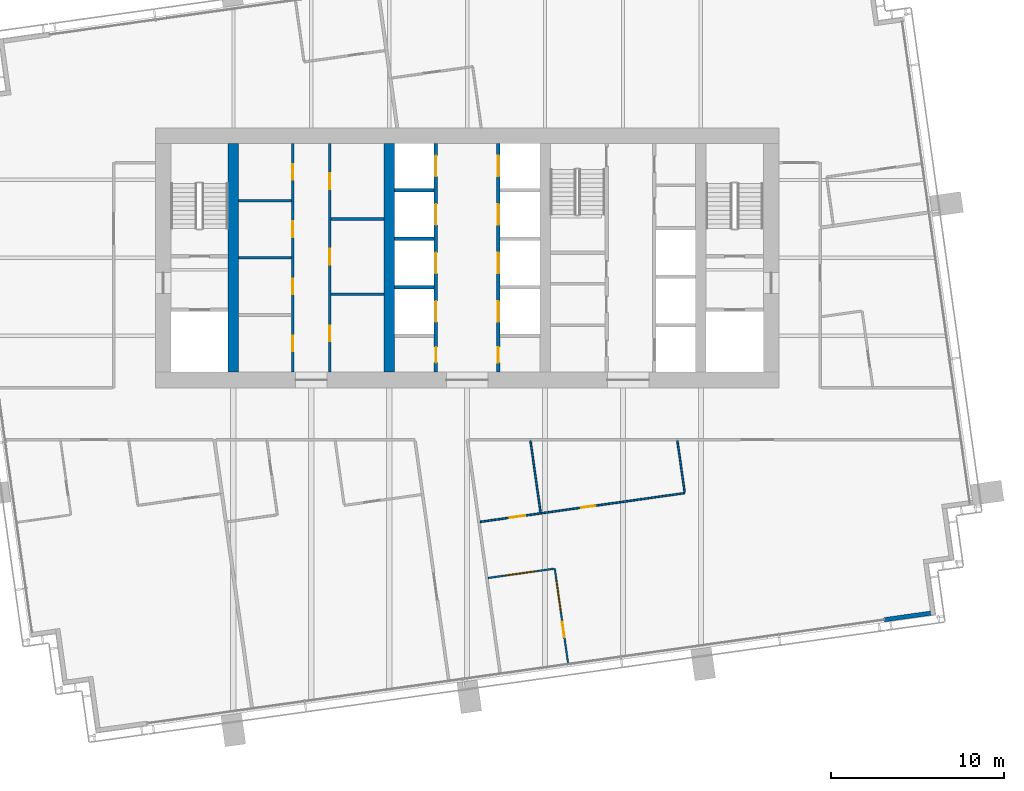
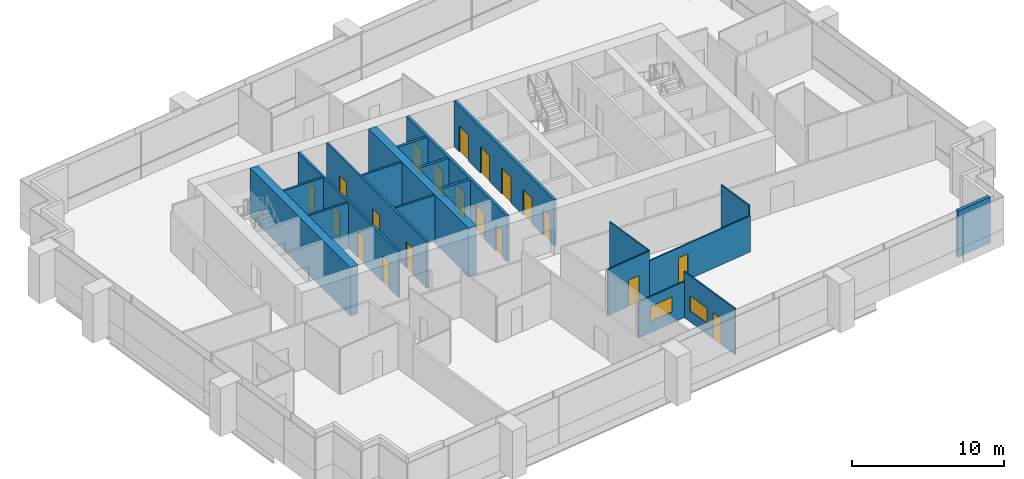
# One storey, part 10 of 18: 20 doors, 20 walls, 2 windows, 22 openings.
"""IFC4 building model written with IfcOpenShell, lengths in metres."""

from ifc_helpers import new_model, si_unit, direction, frame, frame_2d, origin, place, context, subcontext, project, spatial, rectangle, extrude, material, layer, layer_set, type_object, element, fill, save


model = new_model("IFC4")

# Units and contexts
model_context = context("Model", 3, precision=1e-05, world=origin(), true_north=direction((0.0, 1.0)))
body_context = subcontext(model_context, "Body", "Model", "MODEL_VIEW")
ifc_project = project(units=[si_unit("LENGTHUNIT", "METRE"), si_unit("AREAUNIT", "SQUARE_METRE"), si_unit("VOLUMEUNIT", "CUBIC_METRE"), si_unit("PLANEANGLEUNIT", "RADIAN"), si_unit("MASSUNIT", "GRAM", prefix="KILO")], contexts=[model_context])

# Site, building, storey
site_placement = place(None, origin())
site = spatial("IfcSite", under=ifc_project, at=site_placement, CompositionType="ELEMENT")
building_placement = place(site_placement, origin())
building = spatial("IfcBuilding", under=site, at=building_placement, Name="Rattan Terrace Tower", CompositionType="ELEMENT")
storey_placement = place(building_placement, frame((0.0, 0.0, 176.300048828125)))
storey = spatial("IfcBuildingStorey", under=building, at=storey_placement, Name="L40", CompositionType="ELEMENT", Elevation=176.300048828125)

# Wall, openings, doors
ifc_material_1 = material(Name="Gypsum board partition")
ifc_layer_1 = layer(ifc_material_1, 0.14990234375)
ifc_layer_set_1 = layer_set([ifc_layer_1], Name="Core partition 150")
wall_type_1 = type_object("IfcWallType", Name="Core partition 150", PredefinedType="PARTITIONING", material=ifc_layer_set_1)
wall_1_placement = place(storey_placement, frame((-10.074951171875, -6.60009765625, 0.0), z_axis=(0.0, 0.0, 1.0), x_axis=(0.0, 1.0, 0.0)))
wall_1 = element("IfcWall", 1, at=wall_1_placement, inside=storey, type_object=wall_type_1, Name="Core room wall", PredefinedType="PARTITIONING", context=body_context, shape_type="SweptSolid", body=[
    extrude(rectangle(XDim=13.2001953125, YDim=0.14990234375, at=frame_2d((6.60009765625, 0.0))), origin(), (0.0, 0.0, 1.0), 3.699951171875),
])
opening_1_placement = place(wall_1_placement, frame((1.199951171875, 0.0, 0.0)))
opening_1 = element("IfcOpeningElement", 2, at=opening_1_placement, cuts=wall_1, Name="Opening L40-D005", PredefinedType="OPENING", context=body_context, shape_type="SweptSolid", body=[
    extrude(rectangle(XDim=0.89990234375, YDim=2.10009765625, at=frame_2d((0.449951171875, 1.050048828125))), frame((0.0, 0.08544921875, 0.0), z_axis=(0.0, -1.0, 0.0), x_axis=(1.0, 0.0, 0.0)), (0.0, 0.0, 1.0), 0.1708984375),
])
opening_2_placement = place(wall_1_placement, frame((4.5, 0.0, 0.0)))
opening_2 = element("IfcOpeningElement", 3, at=opening_2_placement, cuts=wall_1, Name="Opening L40-D006", PredefinedType="OPENING", context=body_context, shape_type="SweptSolid", body=[
    extrude(rectangle(XDim=0.89990234375, YDim=2.10009765625, at=frame_2d((0.449951171875, 1.050048828125))), frame((0.0, 0.08544921875, 0.0), z_axis=(0.0, -1.0, 0.0), x_axis=(1.0, 0.0, 0.0)), (0.0, 0.0, 1.0), 0.1708984375),
])
opening_3_placement = place(wall_1_placement, frame((7.800048828125, 0.0, 0.0)))
opening_3 = element("IfcOpeningElement", 4, at=opening_3_placement, cuts=wall_1, Name="Opening L40-D007", PredefinedType="OPENING", context=body_context, shape_type="SweptSolid", body=[
    extrude(rectangle(XDim=0.89990234375, YDim=2.10009765625, at=frame_2d((0.449951171875, 1.050048828125))), frame((0.0, 0.08544921875, 0.0), z_axis=(0.0, -1.0, 0.0), x_axis=(1.0, 0.0, 0.0)), (0.0, 0.0, 1.0), 0.1708984375),
])
opening_4_placement = place(wall_1_placement, frame((11.10009765625, 0.0, 0.0)))
opening_4 = element("IfcOpeningElement", 5, at=opening_4_placement, cuts=wall_1, Name="Opening L40-D008", PredefinedType="OPENING", context=body_context, shape_type="SweptSolid", body=[
    extrude(rectangle(XDim=0.89990234375, YDim=2.10009765625, at=frame_2d((0.449951171875, 1.050048828125))), frame((0.0, 0.08544921875, 0.0), z_axis=(0.0, -1.0, 0.0), x_axis=(1.0, 0.0, 0.0)), (0.0, 0.0, 1.0), 0.1708984375),
])
ifc_material_2 = material(Name="Hollow-metal fire door leaf")
door_type_1 = type_object("IfcDoorType", Name="Core service room door 900", OperationType="NOTDEFINED", PredefinedType="DOOR", material=ifc_material_2)
door_1_placement = place(opening_1_placement, origin())
door_1 = element("IfcDoor", 6, at=door_1_placement, inside=storey, type_object=door_type_1, Name="Door L40-D005", OperationType="SINGLE_SWING_LEFT", OverallHeight=2.10009765625, OverallWidth=0.89990234375, PredefinedType="DOOR", context=body_context, shape_type="SweptSolid", body=[
    extrude(rectangle(XDim=0.89990234375, YDim=2.10009765625, at=frame_2d((0.449951171875, 1.050048828125))), frame((0.0, 0.02490234375, 0.0), z_axis=(0.0, -1.0, 0.0), x_axis=(1.0, 0.0, 0.0)), (0.0, 0.0, 1.0), 0.050048828125),
])
fill(opening_1, door_1)
door_2_placement = place(opening_2_placement, origin())
door_2 = element("IfcDoor", 7, at=door_2_placement, inside=storey, type_object=door_type_1, Name="Door L40-D006", OperationType="SINGLE_SWING_RIGHT", OverallHeight=2.10009765625, OverallWidth=0.89990234375, PredefinedType="DOOR", context=body_context, shape_type="SweptSolid", body=[
    extrude(rectangle(XDim=0.89990234375, YDim=2.10009765625, at=frame_2d((0.449951171875, 1.050048828125))), frame((0.0, 0.02490234375, 0.0), z_axis=(0.0, -1.0, 0.0), x_axis=(1.0, 0.0, 0.0)), (0.0, 0.0, 1.0), 0.050048828125),
])
fill(opening_2, door_2)
door_3_placement = place(opening_3_placement, origin())
door_3 = element("IfcDoor", 8, at=door_3_placement, inside=storey, type_object=door_type_1, Name="Door L40-D007", OperationType="SINGLE_SWING_LEFT", OverallHeight=2.10009765625, OverallWidth=0.89990234375, PredefinedType="DOOR", context=body_context, shape_type="SweptSolid", body=[
    extrude(rectangle(XDim=0.89990234375, YDim=2.10009765625, at=frame_2d((0.449951171875, 1.050048828125))), frame((0.0, 0.02490234375, 0.0), z_axis=(0.0, -1.0, 0.0), x_axis=(1.0, 0.0, 0.0)), (0.0, 0.0, 1.0), 0.050048828125),
])
fill(opening_3, door_3)
door_4_placement = place(opening_4_placement, origin())
door_4 = element("IfcDoor", 9, at=door_4_placement, inside=storey, type_object=door_type_1, Name="Door L40-D008", OperationType="SINGLE_SWING_RIGHT", OverallHeight=2.10009765625, OverallWidth=0.89990234375, PredefinedType="DOOR", context=body_context, shape_type="SweptSolid", body=[
    extrude(rectangle(XDim=0.89990234375, YDim=2.10009765625, at=frame_2d((0.449951171875, 1.050048828125))), frame((0.0, 0.02490234375, 0.0), z_axis=(0.0, -1.0, 0.0), x_axis=(1.0, 0.0, 0.0)), (0.0, 0.0, 1.0), 0.050048828125),
])
fill(opening_4, door_4)

# Walls
for number, where, z_axis, x_axis, name in (
    (10, (-13.199951171875, 0.0, 0.0), (0.0, 0.0, 1.0), (1.0, 0.0, 0.0), "Core room wall"),
    (11, (-13.199951171875, 3.300048828125, 0.0), (0.0, 0.0, 1.0), (1.0, 0.0, 0.0), "Core room wall"),
):
    element("IfcWall", number, at=place(storey_placement, frame(where, z_axis=z_axis, x_axis=x_axis)), inside=storey, type_object=wall_type_1, Name=name, PredefinedType="PARTITIONING", context=body_context, shape_type="SweptSolid", body=[
        extrude(rectangle(XDim=3.050048828125, YDim=0.14990234375, at=frame_2d((1.52490234375, 0.0))), origin(), (0.0, 0.0, 1.0), 3.699951171875),
    ])

# Wall, openings, doors
wall_2_placement = place(storey_placement, frame((-7.925048828125, -6.60009765625, 0.0), z_axis=(0.0, 0.0, 1.0), x_axis=(0.0, 1.0, 0.0)))
wall_2 = element("IfcWall", 12, at=wall_2_placement, inside=storey, type_object=wall_type_1, Name="Core room wall", PredefinedType="PARTITIONING", context=body_context, shape_type="SweptSolid", body=[
    extrude(rectangle(XDim=13.2001953125, YDim=0.14990234375, at=frame_2d((6.60009765625, 0.0))), origin(), (0.0, 0.0, 1.0), 3.699951171875),
])
opening_5_placement = place(wall_2_placement, frame((1.7939453125, 0.0, 0.0)))
opening_5 = element("IfcOpeningElement", 13, at=opening_5_placement, cuts=wall_2, Name="Opening L40-D009", PredefinedType="OPENING", context=body_context, shape_type="SweptSolid", body=[
    extrude(rectangle(XDim=0.89990234375, YDim=2.10009765625, at=frame_2d((0.449951171875, 1.050048828125))), frame((0.0, 0.08544921875, 0.0), z_axis=(0.0, -1.0, 0.0), x_axis=(1.0, 0.0, 0.0)), (0.0, 0.0, 1.0), 0.1708984375),
])
opening_6_placement = place(wall_2_placement, frame((6.216064453125, 0.0, 0.0)))
opening_6 = element("IfcOpeningElement", 14, at=opening_6_placement, cuts=wall_2, Name="Opening L40-D010", PredefinedType="OPENING", context=body_context, shape_type="SweptSolid", body=[
    extrude(rectangle(XDim=0.89990234375, YDim=2.10009765625, at=frame_2d((0.449951171875, 1.050048828125))), frame((0.0, 0.08544921875, 0.0), z_axis=(0.0, -1.0, 0.0), x_axis=(1.0, 0.0, 0.0)), (0.0, 0.0, 1.0), 0.1708984375),
])
opening_7_placement = place(wall_2_placement, frame((10.572021484375, 0.0, 0.0)))
opening_7 = element("IfcOpeningElement", 15, at=opening_7_placement, cuts=wall_2, Name="Opening L40-D011", PredefinedType="OPENING", context=body_context, shape_type="SweptSolid", body=[
    extrude(rectangle(XDim=0.89990234375, YDim=2.10009765625, at=frame_2d((0.449951171875, 1.050048828125))), frame((0.0, 0.08544921875, 0.0), z_axis=(0.0, -1.0, 0.0), x_axis=(1.0, 0.0, 0.0)), (0.0, 0.0, 1.0), 0.1708984375),
])
door_5_placement = place(opening_5_placement, origin())
door_5 = element("IfcDoor", 16, at=door_5_placement, inside=storey, type_object=door_type_1, Name="Door L40-D009", OperationType="SINGLE_SWING_LEFT", OverallHeight=2.10009765625, OverallWidth=0.89990234375, PredefinedType="DOOR", context=body_context, shape_type="SweptSolid", body=[
    extrude(rectangle(XDim=0.89990234375, YDim=2.10009765625, at=frame_2d((0.449951171875, 1.050048828125))), frame((0.0, 0.02490234375, 0.0), z_axis=(0.0, -1.0, 0.0), x_axis=(1.0, 0.0, 0.0)), (0.0, 0.0, 1.0), 0.050048828125),
])
fill(opening_5, door_5)
door_6_placement = place(opening_6_placement, origin())
door_6 = element("IfcDoor", 17, at=door_6_placement, inside=storey, type_object=door_type_1, Name="Door L40-D010", OperationType="SINGLE_SWING_RIGHT", OverallHeight=2.10009765625, OverallWidth=0.89990234375, PredefinedType="DOOR", context=body_context, shape_type="SweptSolid", body=[
    extrude(rectangle(XDim=0.89990234375, YDim=2.10009765625, at=frame_2d((0.449951171875, 1.050048828125))), frame((0.0, 0.02490234375, 0.0), z_axis=(0.0, -1.0, 0.0), x_axis=(1.0, 0.0, 0.0)), (0.0, 0.0, 1.0), 0.050048828125),
])
fill(opening_6, door_6)
door_7_placement = place(opening_7_placement, origin())
door_7 = element("IfcDoor", 18, at=door_7_placement, inside=storey, type_object=door_type_1, Name="Door L40-D011", OperationType="SINGLE_SWING_LEFT", OverallHeight=2.10009765625, OverallWidth=0.89990234375, PredefinedType="DOOR", context=body_context, shape_type="SweptSolid", body=[
    extrude(rectangle(XDim=0.89990234375, YDim=2.10009765625, at=frame_2d((0.449951171875, 1.050048828125))), frame((0.0, 0.02490234375, 0.0), z_axis=(0.0, -1.0, 0.0), x_axis=(1.0, 0.0, 0.0)), (0.0, 0.0, 1.0), 0.050048828125),
])
fill(opening_7, door_7)

# Walls
for number, where, z_axis, x_axis, name in (
    (19, (-7.85009765625, -2.112060546875, 0.0), (0.0, 0.0, 1.0), (1.0, 0.0, 0.0), "Core room wall"),
    (20, (-7.85009765625, 2.243896484375, 0.0), (0.0, 0.0, 1.0), (1.0, 0.0, 0.0), "Core room wall"),
):
    element("IfcWall", number, at=place(storey_placement, frame(where, z_axis=z_axis, x_axis=x_axis)), inside=storey, type_object=wall_type_1, Name=name, PredefinedType="PARTITIONING", context=body_context, shape_type="SweptSolid", body=[
        extrude(rectangle(XDim=3.050048828125, YDim=0.14990234375, at=frame_2d((1.52490234375, 0.0))), origin(), (0.0, 0.0, 1.0), 3.699951171875),
    ])
ifc_material_3 = material(Name="Concrete C60/75", Category="concrete")
ifc_layer_2 = layer(ifc_material_3, 0.60009765625)
ifc_layer_set_2 = layer_set([ifc_layer_2], Name="Core spine wall 600 C60/75")
wall_type_2 = type_object("IfcWallType", Name="Core spine wall 600 C60/75", PredefinedType="SHEAR", material=ifc_layer_set_2)
for number, where, z_axis, x_axis, name in (
    (21, (-13.5, -6.60009765625, -0.199951171875), (0.0, 0.0, 1.0), (0.0, 1.0, 0.0), "Core spine wall 1"),
    (22, (-4.5, -6.60009765625, -0.199951171875), (0.0, 0.0, 1.0), (0.0, 1.0, 0.0), "Core spine wall 2"),
):
    element("IfcWall", number, at=place(storey_placement, frame(where, z_axis=z_axis, x_axis=x_axis)), inside=storey, type_object=wall_type_2, Name=name, PredefinedType="SHEAR", context=body_context, shape_type="SweptSolid", body=[
        extrude(rectangle(XDim=13.2001953125, YDim=0.60009765625, at=frame_2d((6.60009765625, 0.0))), origin(), (0.0, 0.0, 1.0), 3.89990234375),
    ])
ifc_material_4 = material(Name="Insulated aluminium-clad stud wall", Category="aluminium")
ifc_layer_3 = layer(ifc_material_4, 0.25)
ifc_layer_set_3 = layer_set([ifc_layer_3], Name="Facade Riser Wall 250")
wall_type_3 = type_object("IfcWallType", Name="Facade Riser Wall 250", PredefinedType="SOLIDWALL", material=ifc_layer_set_3)
wall_3_placement = place(storey_placement, frame((24.08544921875, -20.892578125, 0.0), z_axis=(0.0, 0.0, 1.0), x_axis=(0.990255800966, 0.139260362823, 0.0)))
element("IfcWall", 23, at=wall_3_placement, inside=storey, type_object=wall_type_3, Name="Riser wall L40-1", PredefinedType="SOLIDWALL", context=body_context, shape_type="SweptSolid", body=[
    extrude(rectangle(XDim=2.705078125, YDim=0.25, at=frame_2d((1.3525390625, 0.0))), origin(), (0.0, 0.0, 1.0), 3.699951171875),
])

# Wall, opening, window
ifc_material_5 = material(Name="Gypsum board partition on steel studs", Category="steel")
ifc_layer_4 = layer(ifc_material_5, 0.10009765625)
ifc_layer_set_4 = layer_set([ifc_layer_4], Name="Floors Partition 100")
wall_type_4 = type_object("IfcWallType", Name="Floors Partition 100", PredefinedType="PARTITIONING", material=ifc_layer_set_4)
wall_4_placement = place(storey_placement, frame((5.010986328125, -17.948974609375, 0.0), z_axis=(0.0, 0.0, 1.0), x_axis=(-0.99029781958, -0.138961248322, 0.0)))
wall_4 = element("IfcWall", 24, at=wall_4_placement, inside=storey, type_object=wall_type_4, Name="pt-L40-035", PredefinedType="PARTITIONING", context=body_context, shape_type="SweptSolid", body=[
    extrude(rectangle(XDim=3.835205078125, YDim=0.10009765625, at=frame_2d((1.91748046875, 0.0))), origin(), (0.0, 0.0, 1.0), 2.89990234375),
])
opening_8_placement = place(wall_4_placement, frame((1.01806640625, 0.0, 0.89990234375)))
opening_8 = element("IfcOpeningElement", 25, at=opening_8_placement, cuts=wall_4, Name="Opening L40-W102", PredefinedType="OPENING", context=body_context, shape_type="SweptSolid", body=[
    extrude(rectangle(XDim=1.800048828125, YDim=1.199951171875, at=frame_2d((0.89990234375, 0.60009765625))), frame((0.0, 0.060546875, 0.0), z_axis=(0.0, -1.0, 0.0), x_axis=(1.0, 0.0, 0.0)), (0.0, 0.0, 1.0), 0.12109375),
])
ifc_material_6 = material(Name="Glass, clear, fixed in aluminium frame", Category="aluminium")
window_type = type_object("IfcWindowType", Name="Interior Vision Window 1800x1200", PartitioningType="SINGLE_PANEL", PredefinedType="WINDOW", material=ifc_material_6)
window_1_placement = place(opening_8_placement, origin())
window_1 = element("IfcWindow", 26, at=window_1_placement, inside=storey, type_object=window_type, Name="w-L40-102", OverallHeight=1.199951171875, OverallWidth=1.800048828125, PartitioningType="SINGLE_PANEL", PredefinedType="WINDOW", context=body_context, shape_type="SweptSolid", body=[
    extrude(rectangle(XDim=1.800048828125, YDim=1.199951171875, at=frame_2d((0.89990234375, 0.60009765625))), frame((0.0, 0.030029296875, 0.0), z_axis=(0.0, -1.0, 0.0), x_axis=(1.0, 0.0, 0.0)), (0.0, 0.0, 1.0), 0.06005859375),
])
fill(opening_8, window_1)

# Wall, openings, door, window
wall_5_placement = place(storey_placement, frame((5.822998046875, -23.367919921875, 0.0), z_axis=(0.0, 0.0, 1.0), x_axis=(-0.13906298859, 0.990283537783, 0.0)))
wall_5 = element("IfcWall", 27, at=wall_5_placement, inside=storey, type_object=wall_type_4, Name="pt-L40-036", PredefinedType="PARTITIONING", context=body_context, shape_type="SweptSolid", body=[
    extrude(rectangle(XDim=5.479248046875, YDim=0.10009765625, at=frame_2d((2.73974609375, 0.0))), origin(), (0.0, 0.0, 1.0), 3.699951171875),
])
opening_9_placement = place(wall_5_placement, frame((1.47412109375, 0.0, 0.0)))
opening_9 = element("IfcOpeningElement", 28, at=opening_9_placement, cuts=wall_5, Name="Opening L40-D107", PredefinedType="OPENING", context=body_context, shape_type="SweptSolid", body=[
    extrude(rectangle(XDim=0.89990234375, YDim=2.10009765625, at=frame_2d((0.449951171875, 1.050048828125))), frame((0.0, 0.060546875, 0.0), z_axis=(0.0, -1.0, 0.0), x_axis=(1.0, 0.0, 0.0)), (0.0, 0.0, 1.0), 0.12109375),
])
opening_10_placement = place(wall_5_placement, frame((3.001953125, 0.0, 0.89990234375)))
opening_10 = element("IfcOpeningElement", 29, at=opening_10_placement, cuts=wall_5, Name="Opening L40-W103", PredefinedType="OPENING", context=body_context, shape_type="SweptSolid", body=[
    extrude(rectangle(XDim=1.800048828125, YDim=1.199951171875, at=frame_2d((0.89990234375, 0.60009765625))), frame((0.0, 0.060546875, 0.0), z_axis=(0.0, -1.0, 0.0), x_axis=(1.0, 0.0, 0.0)), (0.0, 0.0, 1.0), 0.12109375),
])
ifc_material_7 = material(Name="Solid core timber door, painted", Category="wood")
door_type_2 = type_object("IfcDoorType", Name="Floors Door 900x2100", OperationType="NOTDEFINED", PredefinedType="DOOR", material=ifc_material_7)
door_8_placement = place(opening_9_placement, origin())
door_8 = element("IfcDoor", 30, at=door_8_placement, inside=storey, type_object=door_type_2, Name="d-L40-107", OperationType="SINGLE_SWING_LEFT", OverallHeight=2.10009765625, OverallWidth=0.89990234375, PredefinedType="DOOR", context=body_context, shape_type="SweptSolid", body=[
    extrude(rectangle(XDim=0.89990234375, YDim=2.10009765625, at=frame_2d((0.449951171875, 1.050048828125))), frame((0.0, 0.02490234375, 0.0), z_axis=(0.0, -1.0, 0.0), x_axis=(1.0, 0.0, 0.0)), (0.0, 0.0, 1.0), 0.050048828125),
])
fill(opening_9, door_8)
window_2_placement = place(opening_10_placement, origin())
window_2 = element("IfcWindow", 31, at=window_2_placement, inside=storey, type_object=window_type, Name="w-L40-103", OverallHeight=1.199951171875, OverallWidth=1.800048828125, PartitioningType="SINGLE_PANEL", PredefinedType="WINDOW", context=body_context, shape_type="SweptSolid", body=[
    extrude(rectangle(XDim=1.800048828125, YDim=1.199951171875, at=frame_2d((0.89990234375, 0.60009765625))), frame((0.0, 0.030029296875, 0.0), z_axis=(0.0, -1.0, 0.0), x_axis=(1.0, 0.0, 0.0)), (0.0, 0.0, 1.0), 0.06005859375),
])
fill(opening_10, window_2)

# Wall, opening, door
wall_6_placement = place(storey_placement, frame((0.758056640625, -15.241943359375, 0.0), z_axis=(0.0, 0.0, 1.0), x_axis=(0.990292126352, 0.139001814682, 0.0)))
wall_6 = element("IfcWall", 32, at=wall_6_placement, inside=storey, type_object=wall_type_4, Name="pt-L40-037", PredefinedType="PARTITIONING", context=body_context, shape_type="SweptSolid", body=[
    extrude(rectangle(XDim=3.50390625, YDim=0.10009765625, at=frame_2d((1.751953125, 0.0))), origin(), (0.0, 0.0, 1.0), 3.699951171875),
])
opening_11_placement = place(wall_6_placement, frame((1.722900390625, 0.0, 0.0)))
opening_11 = element("IfcOpeningElement", 33, at=opening_11_placement, cuts=wall_6, Name="Opening L40-D108", PredefinedType="OPENING", context=body_context, shape_type="SweptSolid", body=[
    extrude(rectangle(XDim=0.89990234375, YDim=2.10009765625, at=frame_2d((0.449951171875, 1.050048828125))), frame((0.0, 0.060546875, 0.0), z_axis=(0.0, -1.0, 0.0), x_axis=(1.0, 0.0, 0.0)), (0.0, 0.0, 1.0), 0.12109375),
])
door_9_placement = place(opening_11_placement, origin())
door_9 = element("IfcDoor", 34, at=door_9_placement, inside=storey, type_object=door_type_2, Name="d-L40-108", OperationType="SINGLE_SWING_RIGHT", OverallHeight=2.10009765625, OverallWidth=0.89990234375, PredefinedType="DOOR", context=body_context, shape_type="SweptSolid", body=[
    extrude(rectangle(XDim=0.89990234375, YDim=2.10009765625, at=frame_2d((0.449951171875, 1.050048828125))), frame((0.0, 0.02490234375, 0.0), z_axis=(0.0, -1.0, 0.0), x_axis=(1.0, 0.0, 0.0)), (0.0, 0.0, 1.0), 0.050048828125),
])
fill(opening_11, door_9)

wall_7_placement = place(storey_placement, frame((4.22802734375, -14.7548828125, 0.0), z_axis=(0.0, 0.0, 1.0), x_axis=(0.990267072018, 0.139180192835, 0.0)))
wall_7 = element("IfcWall", 35, at=wall_7_placement, inside=storey, type_object=wall_type_4, Name="pt-L40-038", PredefinedType="PARTITIONING", context=body_context, shape_type="SweptSolid", body=[
    extrude(rectangle(XDim=8.419921875, YDim=0.10009765625, at=frame_2d((4.2099609375, 0.0))), origin(), (0.0, 0.0, 1.0), 2.89990234375),
])
opening_12_placement = place(wall_7_placement, frame((2.385986328125, 0.0, 0.0)))
opening_12 = element("IfcOpeningElement", 36, at=opening_12_placement, cuts=wall_7, Name="Opening L40-D109", PredefinedType="OPENING", context=body_context, shape_type="SweptSolid", body=[
    extrude(rectangle(XDim=0.800048828125, YDim=2.10009765625, at=frame_2d((0.39990234375, 1.050048828125))), frame((0.0, 0.060546875, 0.0), z_axis=(0.0, -1.0, 0.0), x_axis=(1.0, 0.0, 0.0)), (0.0, 0.0, 1.0), 0.12109375),
])
ifc_material_8 = material(Name="Solid core timber door, painted", Category="wood")
door_type_3 = type_object("IfcDoorType", Name="Floors Store Door 800x2100", OperationType="NOTDEFINED", PredefinedType="DOOR", material=ifc_material_8)
door_10_placement = place(opening_12_placement, origin())
door_10 = element("IfcDoor", 37, at=door_10_placement, inside=storey, type_object=door_type_3, Name="d-L40-109", OperationType="SINGLE_SWING_LEFT", OverallHeight=2.10009765625, OverallWidth=0.800048828125, PredefinedType="DOOR", context=body_context, shape_type="SweptSolid", body=[
    extrude(rectangle(XDim=0.800048828125, YDim=2.10009765625, at=frame_2d((0.39990234375, 1.050048828125))), frame((0.0, 0.02490234375, 0.0), z_axis=(0.0, -1.0, 0.0), x_axis=(1.0, 0.0, 0.0)), (0.0, 0.0, 1.0), 0.050048828125),
])
fill(opening_12, door_10)

# Walls
wall_8_placement = place(storey_placement, frame((12.55908203125, -13.532958984375, 0.0), z_axis=(0.0, 0.0, 1.0), x_axis=(-0.138954956276, 0.990298702476, 0.0)))
element("IfcWall", 38, at=wall_8_placement, inside=storey, type_object=wall_type_4, Name="pt-L40-039", PredefinedType="PARTITIONING", context=body_context, shape_type="SweptSolid", body=[
    extrude(rectangle(XDim=2.993896484375, YDim=0.10009765625, at=frame_2d((1.4970703125, 0.0))), origin(), (0.0, 0.0, 1.0), 3.699951171875),
])
wall_9_placement = place(storey_placement, frame((3.658935546875, -10.568115234375, 0.0), z_axis=(0.0, 0.0, 1.0), x_axis=(0.139423291569, -0.990232874514, 0.0)))
element("IfcWall", 39, at=wall_9_placement, inside=storey, type_object=wall_type_4, Name="pt-L40-040", PredefinedType="PARTITIONING", context=body_context, shape_type="SweptSolid", body=[
    extrude(rectangle(XDim=4.174560546875, YDim=0.10009765625, at=frame_2d((2.08740234375, 0.0))), origin(), (0.0, 0.0, 1.0), 3.699951171875),
])

# Wall, openings, doors
ifc_material_9 = material(Name="Gypsum shaft wall system")
ifc_layer_5 = layer(ifc_material_9, 0.199951171875)
ifc_layer_set_5 = layer_set([ifc_layer_5], Name="Lift shaft wall 200")
wall_type_5 = type_object("IfcWallType", Name="Lift shaft wall 200", PredefinedType="PARTITIONING", material=ifc_layer_set_5)
wall_10_placement = place(storey_placement, frame((-1.800048828125, -6.60009765625, 0.0), z_axis=(0.0, 0.0, 1.0), x_axis=(0.0, 1.0, 0.0)))
wall_10 = element("IfcWall", 40, at=wall_10_placement, inside=storey, type_object=wall_type_5, Name="Lift shaft front wall", PredefinedType="PARTITIONING", context=body_context, shape_type="SweptSolid", body=[
    extrude(rectangle(XDim=13.2001953125, YDim=0.199951171875, at=frame_2d((6.60009765625, 0.0))), origin(), (0.0, 0.0, 1.0), 3.699951171875),
])
opening_13_placement = place(wall_10_placement, frame((0.550048828125, 0.0, 0.0)))
opening_13 = element("IfcOpeningElement", 41, at=opening_13_placement, cuts=wall_10, Name="Opening L40-D013", PredefinedType="OPENING", context=body_context, shape_type="SweptSolid", body=[
    extrude(rectangle(XDim=0.89990234375, YDim=2.10009765625, at=frame_2d((0.449951171875, 1.050048828125))), frame((0.0, 0.110595703125, 0.0), z_axis=(0.0, -1.0, 0.0), x_axis=(1.0, 0.0, 0.0)), (0.0, 0.0, 1.0), 0.220947265625),
])
opening_14_placement = place(wall_10_placement, frame((2.89990234375, 0.0, 0.0)))
opening_14 = element("IfcOpeningElement", 42, at=opening_14_placement, cuts=wall_10, Name="Opening L40-LD-HR1", PredefinedType="OPENING", context=body_context, shape_type="SweptSolid", body=[
    extrude(rectangle(XDim=1.199951171875, YDim=2.10009765625, at=frame_2d((0.60009765625, 1.050048828125))), frame((0.0, 0.110595703125, 0.0), z_axis=(0.0, -1.0, 0.0), x_axis=(1.0, 0.0, 0.0)), (0.0, 0.0, 1.0), 0.220947265625),
])
opening_15_placement = place(wall_10_placement, frame((5.699951171875, 0.0, 0.0)))
opening_15 = element("IfcOpeningElement", 43, at=opening_15_placement, cuts=wall_10, Name="Opening L40-LD-HR2", PredefinedType="OPENING", context=body_context, shape_type="SweptSolid", body=[
    extrude(rectangle(XDim=1.199951171875, YDim=2.10009765625, at=frame_2d((0.60009765625, 1.050048828125))), frame((0.0, 0.110595703125, 0.0), z_axis=(0.0, -1.0, 0.0), x_axis=(1.0, 0.0, 0.0)), (0.0, 0.0, 1.0), 0.220947265625),
])
opening_16_placement = place(wall_10_placement, frame((8.5, 0.0, 0.0)))
opening_16 = element("IfcOpeningElement", 44, at=opening_16_placement, cuts=wall_10, Name="Opening L40-LD-HR3", PredefinedType="OPENING", context=body_context, shape_type="SweptSolid", body=[
    extrude(rectangle(XDim=1.199951171875, YDim=2.10009765625, at=frame_2d((0.60009765625, 1.050048828125))), frame((0.0, 0.110595703125, 0.0), z_axis=(0.0, -1.0, 0.0), x_axis=(1.0, 0.0, 0.0)), (0.0, 0.0, 1.0), 0.220947265625),
])
opening_17_placement = place(wall_10_placement, frame((11.300048828125, 0.0, 0.0)))
opening_17 = element("IfcOpeningElement", 45, at=opening_17_placement, cuts=wall_10, Name="Opening L40-LD-HR4", PredefinedType="OPENING", context=body_context, shape_type="SweptSolid", body=[
    extrude(rectangle(XDim=1.199951171875, YDim=2.10009765625, at=frame_2d((0.60009765625, 1.050048828125))), frame((0.0, 0.110595703125, 0.0), z_axis=(0.0, -1.0, 0.0), x_axis=(1.0, 0.0, 0.0)), (0.0, 0.0, 1.0), 0.220947265625),
])
ifc_material_10 = material(Name="Brushed stainless landing door panel")
door_type_4 = type_object("IfcDoorType", Name="Core lift landing door 1200", OperationType="DOUBLE_DOOR_SLIDING", PredefinedType="DOOR", material=ifc_material_10)
door_11_placement = place(opening_14_placement, origin())
door_11 = element("IfcDoor", 46, at=door_11_placement, inside=storey, type_object=door_type_4, Name="Door L40-LD-HR1", OperationType="DOUBLE_DOOR_SLIDING", OverallHeight=2.10009765625, OverallWidth=1.199951171875, PredefinedType="DOOR", context=body_context, shape_type="SweptSolid", body=[
    extrude(rectangle(XDim=1.199951171875, YDim=2.10009765625, at=frame_2d((0.60009765625, 1.050048828125))), frame((0.0, 0.02490234375, 0.0), z_axis=(0.0, -1.0, 0.0), x_axis=(1.0, 0.0, 0.0)), (0.0, 0.0, 1.0), 0.050048828125),
])
fill(opening_14, door_11)
door_12_placement = place(opening_15_placement, origin())
door_12 = element("IfcDoor", 47, at=door_12_placement, inside=storey, type_object=door_type_4, Name="Door L40-LD-HR2", OperationType="DOUBLE_DOOR_SLIDING", OverallHeight=2.10009765625, OverallWidth=1.199951171875, PredefinedType="DOOR", context=body_context, shape_type="SweptSolid", body=[
    extrude(rectangle(XDim=1.199951171875, YDim=2.10009765625, at=frame_2d((0.60009765625, 1.050048828125))), frame((0.0, 0.02490234375, 0.0), z_axis=(0.0, -1.0, 0.0), x_axis=(1.0, 0.0, 0.0)), (0.0, 0.0, 1.0), 0.050048828125),
])
fill(opening_15, door_12)
door_13_placement = place(opening_16_placement, origin())
door_13 = element("IfcDoor", 48, at=door_13_placement, inside=storey, type_object=door_type_4, Name="Door L40-LD-HR3", OperationType="DOUBLE_DOOR_SLIDING", OverallHeight=2.10009765625, OverallWidth=1.199951171875, PredefinedType="DOOR", context=body_context, shape_type="SweptSolid", body=[
    extrude(rectangle(XDim=1.199951171875, YDim=2.10009765625, at=frame_2d((0.60009765625, 1.050048828125))), frame((0.0, 0.02490234375, 0.0), z_axis=(0.0, -1.0, 0.0), x_axis=(1.0, 0.0, 0.0)), (0.0, 0.0, 1.0), 0.050048828125),
])
fill(opening_16, door_13)
door_14_placement = place(opening_17_placement, origin())
door_14 = element("IfcDoor", 49, at=door_14_placement, inside=storey, type_object=door_type_4, Name="Door L40-LD-HR4", OperationType="DOUBLE_DOOR_SLIDING", OverallHeight=2.10009765625, OverallWidth=1.199951171875, PredefinedType="DOOR", context=body_context, shape_type="SweptSolid", body=[
    extrude(rectangle(XDim=1.199951171875, YDim=2.10009765625, at=frame_2d((0.60009765625, 1.050048828125))), frame((0.0, 0.02490234375, 0.0), z_axis=(0.0, -1.0, 0.0), x_axis=(1.0, 0.0, 0.0)), (0.0, 0.0, 1.0), 0.050048828125),
])
fill(opening_17, door_14)
ifc_material_11 = material(Name="Hollow-metal fire door leaf")
door_type_5 = type_object("IfcDoorType", Name="Core riser door 900", OperationType="NOTDEFINED", PredefinedType="DOOR", material=ifc_material_11)
door_15_placement = place(opening_13_placement, origin())
door_15 = element("IfcDoor", 50, at=door_15_placement, inside=storey, type_object=door_type_5, Name="Door L40-D013", OperationType="SINGLE_SWING_LEFT", OverallHeight=2.10009765625, OverallWidth=0.89990234375, PredefinedType="DOOR", context=body_context, shape_type="SweptSolid", body=[
    extrude(rectangle(XDim=0.89990234375, YDim=2.10009765625, at=frame_2d((0.449951171875, 1.050048828125))), frame((0.0, 0.02490234375, 0.0), z_axis=(0.0, -1.0, 0.0), x_axis=(1.0, 0.0, 0.0)), (0.0, 0.0, 1.0), 0.050048828125),
])
fill(opening_13, door_15)

wall_11_placement = place(storey_placement, frame((1.800048828125, -6.60009765625, 0.0), z_axis=(0.0, 0.0, 1.0), x_axis=(0.0, 1.0, 0.0)))
wall_11 = element("IfcWall", 51, at=wall_11_placement, inside=storey, type_object=wall_type_5, Name="Lift shaft front wall", PredefinedType="PARTITIONING", context=body_context, shape_type="SweptSolid", body=[
    extrude(rectangle(XDim=13.2001953125, YDim=0.199951171875, at=frame_2d((6.60009765625, 0.0))), origin(), (0.0, 0.0, 1.0), 3.699951171875),
])
opening_18_placement = place(wall_11_placement, frame((0.550048828125, 0.0, 0.0)))
opening_18 = element("IfcOpeningElement", 52, at=opening_18_placement, cuts=wall_11, Name="Opening L40-D014", PredefinedType="OPENING", context=body_context, shape_type="SweptSolid", body=[
    extrude(rectangle(XDim=0.89990234375, YDim=2.10009765625, at=frame_2d((0.449951171875, 1.050048828125))), frame((0.0, 0.110595703125, 0.0), z_axis=(0.0, -1.0, 0.0), x_axis=(1.0, 0.0, 0.0)), (0.0, 0.0, 1.0), 0.220947265625),
])
opening_19_placement = place(wall_11_placement, frame((2.89990234375, 0.0, 0.0)))
opening_19 = element("IfcOpeningElement", 53, at=opening_19_placement, cuts=wall_11, Name="Opening L40-LD-HR5", PredefinedType="OPENING", context=body_context, shape_type="SweptSolid", body=[
    extrude(rectangle(XDim=1.199951171875, YDim=2.10009765625, at=frame_2d((0.60009765625, 1.050048828125))), frame((0.0, 0.110595703125, 0.0), z_axis=(0.0, -1.0, 0.0), x_axis=(1.0, 0.0, 0.0)), (0.0, 0.0, 1.0), 0.220947265625),
])
opening_20_placement = place(wall_11_placement, frame((5.699951171875, 0.0, 0.0)))
opening_20 = element("IfcOpeningElement", 54, at=opening_20_placement, cuts=wall_11, Name="Opening L40-LD-HR6", PredefinedType="OPENING", context=body_context, shape_type="SweptSolid", body=[
    extrude(rectangle(XDim=1.199951171875, YDim=2.10009765625, at=frame_2d((0.60009765625, 1.050048828125))), frame((0.0, 0.110595703125, 0.0), z_axis=(0.0, -1.0, 0.0), x_axis=(1.0, 0.0, 0.0)), (0.0, 0.0, 1.0), 0.220947265625),
])
opening_21_placement = place(wall_11_placement, frame((8.5, 0.0, 0.0)))
opening_21 = element("IfcOpeningElement", 55, at=opening_21_placement, cuts=wall_11, Name="Opening L40-LD-HR7", PredefinedType="OPENING", context=body_context, shape_type="SweptSolid", body=[
    extrude(rectangle(XDim=1.199951171875, YDim=2.10009765625, at=frame_2d((0.60009765625, 1.050048828125))), frame((0.0, 0.110595703125, 0.0), z_axis=(0.0, -1.0, 0.0), x_axis=(1.0, 0.0, 0.0)), (0.0, 0.0, 1.0), 0.220947265625),
])
opening_22_placement = place(wall_11_placement, frame((11.300048828125, 0.0, 0.0)))
opening_22 = element("IfcOpeningElement", 56, at=opening_22_placement, cuts=wall_11, Name="Opening L40-LD-HR8", PredefinedType="OPENING", context=body_context, shape_type="SweptSolid", body=[
    extrude(rectangle(XDim=1.199951171875, YDim=2.10009765625, at=frame_2d((0.60009765625, 1.050048828125))), frame((0.0, 0.110595703125, 0.0), z_axis=(0.0, -1.0, 0.0), x_axis=(1.0, 0.0, 0.0)), (0.0, 0.0, 1.0), 0.220947265625),
])
door_16_placement = place(opening_19_placement, origin())
door_16 = element("IfcDoor", 57, at=door_16_placement, inside=storey, type_object=door_type_4, Name="Door L40-LD-HR5", OperationType="DOUBLE_DOOR_SLIDING", OverallHeight=2.10009765625, OverallWidth=1.199951171875, PredefinedType="DOOR", context=body_context, shape_type="SweptSolid", body=[
    extrude(rectangle(XDim=1.199951171875, YDim=2.10009765625, at=frame_2d((0.60009765625, 1.050048828125))), frame((0.0, 0.02490234375, 0.0), z_axis=(0.0, -1.0, 0.0), x_axis=(1.0, 0.0, 0.0)), (0.0, 0.0, 1.0), 0.050048828125),
])
fill(opening_19, door_16)
door_17_placement = place(opening_20_placement, origin())
door_17 = element("IfcDoor", 58, at=door_17_placement, inside=storey, type_object=door_type_4, Name="Door L40-LD-HR6", OperationType="DOUBLE_DOOR_SLIDING", OverallHeight=2.10009765625, OverallWidth=1.199951171875, PredefinedType="DOOR", context=body_context, shape_type="SweptSolid", body=[
    extrude(rectangle(XDim=1.199951171875, YDim=2.10009765625, at=frame_2d((0.60009765625, 1.050048828125))), frame((0.0, 0.02490234375, 0.0), z_axis=(0.0, -1.0, 0.0), x_axis=(1.0, 0.0, 0.0)), (0.0, 0.0, 1.0), 0.050048828125),
])
fill(opening_20, door_17)
door_18_placement = place(opening_21_placement, origin())
door_18 = element("IfcDoor", 59, at=door_18_placement, inside=storey, type_object=door_type_4, Name="Door L40-LD-HR7", OperationType="DOUBLE_DOOR_SLIDING", OverallHeight=2.10009765625, OverallWidth=1.199951171875, PredefinedType="DOOR", context=body_context, shape_type="SweptSolid", body=[
    extrude(rectangle(XDim=1.199951171875, YDim=2.10009765625, at=frame_2d((0.60009765625, 1.050048828125))), frame((0.0, 0.02490234375, 0.0), z_axis=(0.0, -1.0, 0.0), x_axis=(1.0, 0.0, 0.0)), (0.0, 0.0, 1.0), 0.050048828125),
])
fill(opening_21, door_18)
door_19_placement = place(opening_22_placement, origin())
door_19 = element("IfcDoor", 60, at=door_19_placement, inside=storey, type_object=door_type_4, Name="Door L40-LD-HR8", OperationType="DOUBLE_DOOR_SLIDING", OverallHeight=2.10009765625, OverallWidth=1.199951171875, PredefinedType="DOOR", context=body_context, shape_type="SweptSolid", body=[
    extrude(rectangle(XDim=1.199951171875, YDim=2.10009765625, at=frame_2d((0.60009765625, 1.050048828125))), frame((0.0, 0.02490234375, 0.0), z_axis=(0.0, -1.0, 0.0), x_axis=(1.0, 0.0, 0.0)), (0.0, 0.0, 1.0), 0.050048828125),
])
fill(opening_22, door_19)
door_20_placement = place(opening_18_placement, origin())
door_20 = element("IfcDoor", 61, at=door_20_placement, inside=storey, type_object=door_type_5, Name="Door L40-D014", OperationType="SINGLE_SWING_RIGHT", OverallHeight=2.10009765625, OverallWidth=0.89990234375, PredefinedType="DOOR", context=body_context, shape_type="SweptSolid", body=[
    extrude(rectangle(XDim=0.89990234375, YDim=2.10009765625, at=frame_2d((0.449951171875, 1.050048828125))), frame((0.0, 0.02490234375, 0.0), z_axis=(0.0, -1.0, 0.0), x_axis=(1.0, 0.0, 0.0)), (0.0, 0.0, 1.0), 0.050048828125),
])
fill(opening_18, door_20)

# Walls
for number, where, z_axis, x_axis, name in (
    (62, (-4.199951171875, -1.699951171875, 0.0), (0.0, 0.0, 1.0), (1.0, 0.0, 0.0), "Lift shaft wall"),
    (63, (-4.199951171875, 1.10009765625, 0.0), (0.0, 0.0, 1.0), (1.0, 0.0, 0.0), "Lift shaft wall"),
    (64, (-4.199951171875, 3.89990234375, 0.0), (0.0, 0.0, 1.0), (1.0, 0.0, 0.0), "Lift shaft wall"),
):
    element("IfcWall", number, at=place(storey_placement, frame(where, z_axis=z_axis, x_axis=x_axis)), inside=storey, type_object=wall_type_5, Name=name, PredefinedType="PARTITIONING", context=body_context, shape_type="SweptSolid", body=[
        extrude(rectangle(XDim=2.300048828125, YDim=0.199951171875, at=frame_2d((1.14990234375, 0.0))), origin(), (0.0, 0.0, 1.0), 3.699951171875),
    ])

save(model, "model.ifc")
